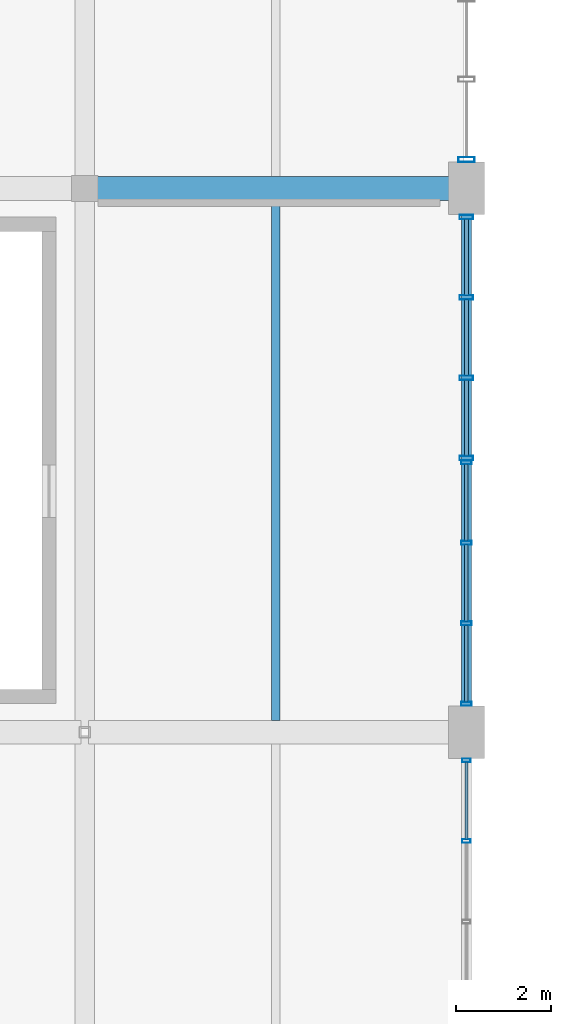
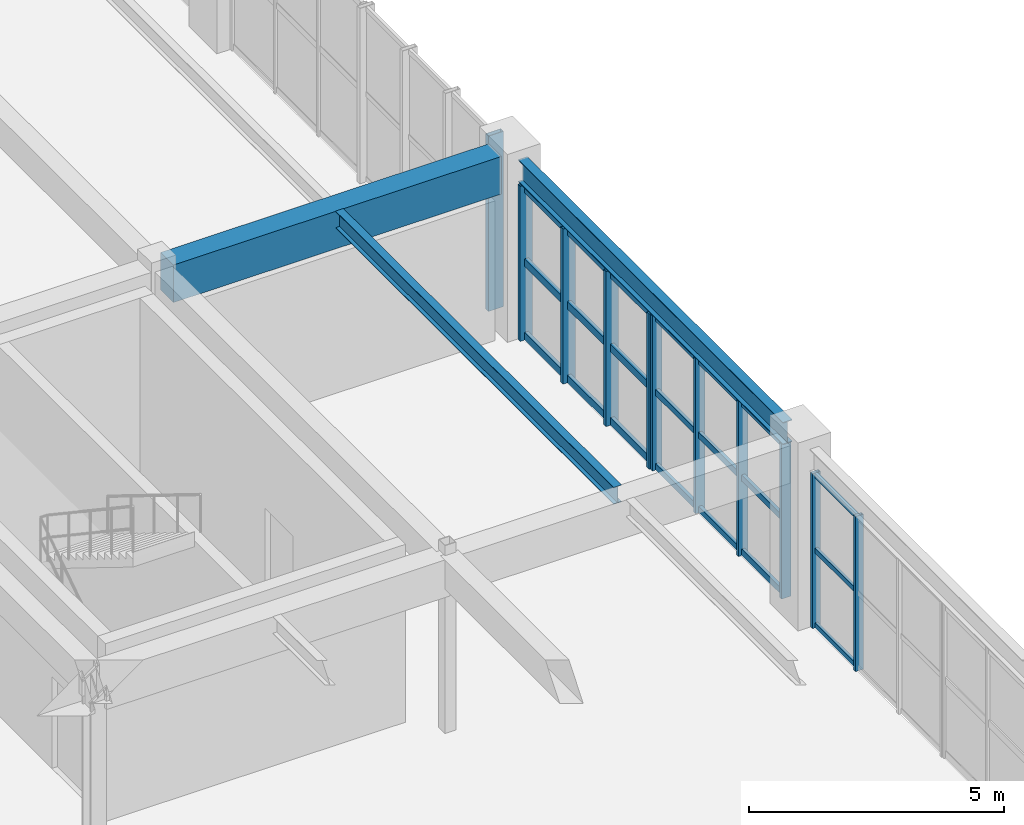
# One storey, part 14 of 80: 32 members, 3 beams, 4 elements without a shape of their own.
"""IFC4 building model written with IfcOpenShell, lengths in metres."""

from ifc_helpers import new_model, si_unit, direction, frame, origin, origin_2d, place, context, subcontext, project, spatial, rectangle, hollow_rectangle, i_section, extrude, material, layer, layer_set, material_profile, profile_set, type_object, element, aggregate, save


model = new_model("IFC4")

# Units and contexts
model_context = context("Model", 3, precision=1e-05, world=origin(), true_north=direction((0.0, 1.0)))
body_context = subcontext(model_context, "Body", "Model", "MODEL_VIEW")
ifc_project = project(units=[si_unit("LENGTHUNIT", "METRE"), si_unit("AREAUNIT", "SQUARE_METRE"), si_unit("VOLUMEUNIT", "CUBIC_METRE"), si_unit("PLANEANGLEUNIT", "RADIAN"), si_unit("MASSUNIT", "GRAM", prefix="KILO"), si_unit("POWERUNIT", "WATT"), si_unit("THERMODYNAMICTEMPERATUREUNIT", "KELVIN")], contexts=[model_context])

# Site, building, storey
site_placement = place(None, origin())
site = spatial("IfcSite", under=ifc_project, at=site_placement, CompositionType="ELEMENT")
building_placement = place(site_placement, origin())
building = spatial("IfcBuilding", under=site, at=building_placement, Name="Kelmbourne Parkland Aquatics Centre", CompositionType="ELEMENT")
storey_placement = place(building_placement, frame((0.0, 0.0, 10.199951171875)))
storey = spatial("IfcBuildingStorey", under=building, at=storey_placement, Name="L02", CompositionType="ELEMENT", Elevation=10.199951171875)

# Beams
ifc_material_1 = material(Name="Concrete C40/50", Category="concrete")
ifc_material_profile_1 = material_profile(ifc_material_1, rectangle(XDim=0.5, YDim=0.89990234375, at=origin_2d()), Name="RC 500x900")
ifc_profile_set_1 = profile_set([ifc_material_profile_1], Name="Concrete C40/50")
beam_type_1 = type_object("IfcBeamType", Name="BM-G03", PredefinedType="BEAM", material=ifc_profile_set_1)
beam_1_placement = place(storey_placement, frame((32.22998046875, 46.39990234375, 3.81005859375), z_axis=(1.0, 0.0, 0.0), x_axis=(0.0, 1.0, 0.0)))
element("IfcBeam", 1, at=beam_1_placement, inside=storey, type_object=beam_type_1, Name="Primary girder E-F Grid 06 (L03)", PredefinedType="BEAM", context=body_context, shape_type="SweptSolid", body=[
    extrude(rectangle(XDim=0.5, YDim=0.89990234375, at=origin_2d()), origin(), (0.0, 0.0, 1.0), 7.43994140625),
])
ifc_material_2 = material(Name="Structural steel AS/NZS 3679.1 Grade 300", Category="steel")
ifc_material_profile_2 = material_profile(ifc_material_2, i_section(OverallWidth=0.177978515625, OverallDepth=0.406005859375, WebThickness=0.0078125, FlangeThickness=0.0126953125, at=origin_2d()), Name="410UB59.7")
ifc_profile_set_2 = profile_set([ifc_material_profile_2], Name="Structural steel AS/NZS 3679.1 Grade 300")
beam_type_2 = type_object("IfcBeamType", Name="BM-J01", PredefinedType="JOIST", material=ifc_profile_set_2)
beam_2_placement = place(storey_placement, frame((36.0, 35.241943359375, 4.05712890625), z_axis=(0.0, 1.0, 0.0), x_axis=(-1.0, 0.0, 0.0)))
element("IfcBeam", 2, at=beam_2_placement, inside=storey, type_object=beam_type_2, Name="Secondary floor joist E-F/05-06 #1 (L03)", PredefinedType="JOIST", context=body_context, shape_type="SweptSolid", body=[
    extrude(i_section(OverallWidth=0.177978515625, OverallDepth=0.406005859375, WebThickness=0.0078125, FlangeThickness=0.0126953125, at=origin_2d()), origin(), (0.0, 0.0, 1.0), 10.916015625),
])
ifc_material_profile_3 = material_profile(ifc_material_2, i_section(OverallWidth=0.208984375, OverallDepth=0.532958984375, WebThickness=0.01025390625, FlangeThickness=0.015625, at=origin_2d()), Name="530UB92.4")
ifc_profile_set_3 = profile_set([ifc_material_profile_3], Name="Structural steel AS/NZS 3679.1 Grade 300")
beam_type_3 = type_object("IfcBeamType", Name="BM-SP02", PredefinedType="SPANDREL", material=ifc_profile_set_3)
beam_3_placement = place(storey_placement, frame((40.0, 35.5048828125, 3.99365234375), z_axis=(0.0, 1.0, 0.0), x_axis=(-1.0, 0.0, 0.0)))
element("IfcBeam", 3, at=beam_3_placement, inside=storey, type_object=beam_type_3, Name="Perimeter spandrel 05-06 Grid F (L03)", PredefinedType="SPANDREL", context=body_context, shape_type="SweptSolid", body=[
    extrude(i_section(OverallWidth=0.208984375, OverallDepth=0.532958984375, WebThickness=0.01025390625, FlangeThickness=0.015625, at=origin_2d()), origin(), (0.0, 0.0, 1.0), 10.39013671875),
])

# Curtain wall, members
ifc_material_3 = material(Name="Thermally broken anodised aluminium framing", Category="aluminium")
ifc_layer_1 = layer(ifc_material_3, 0.179931640625)
ifc_layer_set_1 = layer_set([ifc_layer_1], Name="Thermally broken anodised aluminium framing")
curtain_wall_type_1 = type_object("IfcCurtainWallType", Name="CW-06", PredefinedType="NOTDEFINED", material=ifc_layer_set_1)
curtain_wall_1_placement = place(storey_placement, origin())
curtain_wall_1 = element("IfcCurtainWall", 4, at=curtain_wall_1_placement, inside=storey, type_object=curtain_wall_type_1, Name="Facade curtain wall CW-L02-246", PredefinedType="NOTDEFINED")
ifc_material_profile_4 = material_profile(ifc_material_3, hollow_rectangle(XDim=0.074951171875, YDim=0.179931640625, WallThickness=0.00439453125, at=origin_2d()), Name="CW-M 75x180")
ifc_profile_set_4 = profile_set([ifc_material_profile_4], Name="Thermally broken anodised aluminium framing")
member_type_1 = type_object("IfcMemberType", Name="MB-MUL-2", PredefinedType="MULLION", material=ifc_profile_set_4)
member_1_placement = place(storey_placement, frame((40.0, 32.719482421875, 0.0), z_axis=(0.0, 0.0, 1.0), x_axis=(0.0, 1.0, 0.0)))
member_1 = element("IfcMember", 5, at=member_1_placement, type_object=member_type_1, Name="CW-L02-246 mullion 2", PredefinedType="MULLION", context=body_context, shape_type="SweptSolid", body=[
    extrude(hollow_rectangle(XDim=0.074951171875, YDim=0.179931640625, WallThickness=0.00439453125, at=origin_2d()), origin(), (0.0, 0.0, 1.0), 3.712158203125),
])
member_2_placement = place(storey_placement, frame((40.0, 34.410400390625, 0.0), z_axis=(0.0, 0.0, 1.0), x_axis=(0.0, 1.0, 0.0)))
member_2 = element("IfcMember", 6, at=member_2_placement, type_object=member_type_1, Name="CW-L02-246 mullion 3", PredefinedType="MULLION", context=body_context, shape_type="SweptSolid", body=[
    extrude(hollow_rectangle(XDim=0.074951171875, YDim=0.179931640625, WallThickness=0.00439453125, at=origin_2d()), origin(), (0.0, 0.0, 1.0), 3.712158203125),
])

ifc_layer_2 = layer(ifc_material_3, 0.179931640625)
ifc_layer_set_2 = layer_set([ifc_layer_2], Name="Thermally broken anodised aluminium framing")
curtain_wall_type_2 = type_object("IfcCurtainWallType", Name="CW-07", PredefinedType="NOTDEFINED", material=ifc_layer_set_2)
curtain_wall_2_placement = place(storey_placement, origin())
curtain_wall_2 = element("IfcCurtainWall", 7, at=curtain_wall_2_placement, inside=storey, type_object=curtain_wall_type_2, Name="Facade curtain wall CW-L02-247", PredefinedType="NOTDEFINED")
ifc_material_profile_5 = material_profile(ifc_material_3, hollow_rectangle(XDim=0.0849609375, YDim=0.219970703125, WallThickness=0.0048828125, at=origin_2d()), Name="CW-M 85x220")
ifc_profile_set_5 = profile_set([ifc_material_profile_5], Name="Thermally broken anodised aluminium framing")
member_type_2 = type_object("IfcMemberType", Name="MB-MUL-3", PredefinedType="MULLION", material=ifc_profile_set_5)
member_3_placement = place(storey_placement, frame((40.0, 35.594482421875, 0.0), z_axis=(0.0, 0.0, 1.0), x_axis=(0.0, 1.0, 0.0)))
member_3 = element("IfcMember", 8, at=member_3_placement, type_object=member_type_2, Name="CW-L02-247 mullion 0", PredefinedType="MULLION", context=body_context, shape_type="SweptSolid", body=[
    extrude(hollow_rectangle(XDim=0.0849609375, YDim=0.219970703125, WallThickness=0.0048828125, at=origin_2d()), origin(), (0.0, 0.0, 1.0), 3.712158203125),
])
member_4_placement = place(storey_placement, frame((40.0, 37.2822265625, 0.0), z_axis=(0.0, 0.0, 1.0), x_axis=(0.0, 1.0, 0.0)))
member_4 = element("IfcMember", 9, at=member_4_placement, type_object=member_type_2, Name="CW-L02-247 mullion 1", PredefinedType="MULLION", context=body_context, shape_type="SweptSolid", body=[
    extrude(hollow_rectangle(XDim=0.0849609375, YDim=0.219970703125, WallThickness=0.0048828125, at=origin_2d()), origin(), (0.0, 0.0, 1.0), 3.712158203125),
])
member_5_placement = place(storey_placement, frame((40.0, 38.9697265625, 0.0), z_axis=(0.0, 0.0, 1.0), x_axis=(0.0, 1.0, 0.0)))
member_5 = element("IfcMember", 10, at=member_5_placement, type_object=member_type_2, Name="CW-L02-247 mullion 2", PredefinedType="MULLION", context=body_context, shape_type="SweptSolid", body=[
    extrude(hollow_rectangle(XDim=0.0849609375, YDim=0.219970703125, WallThickness=0.0048828125, at=origin_2d()), origin(), (0.0, 0.0, 1.0), 3.712158203125),
])
member_6_placement = place(storey_placement, frame((40.0, 40.657470703125, 0.0), z_axis=(0.0, 0.0, 1.0), x_axis=(0.0, 1.0, 0.0)))
member_6 = element("IfcMember", 11, at=member_6_placement, type_object=member_type_2, Name="CW-L02-247 mullion 3", PredefinedType="MULLION", context=body_context, shape_type="SweptSolid", body=[
    extrude(hollow_rectangle(XDim=0.0849609375, YDim=0.219970703125, WallThickness=0.0048828125, at=origin_2d()), origin(), (0.0, 0.0, 1.0), 3.712158203125),
])

ifc_layer_3 = layer(ifc_material_3, 0.179931640625)
ifc_layer_set_3 = layer_set([ifc_layer_3], Name="Thermally broken anodised aluminium framing")
curtain_wall_type_3 = type_object("IfcCurtainWallType", Name="CW-08", PredefinedType="NOTDEFINED", material=ifc_layer_set_3)
curtain_wall_3_placement = place(storey_placement, origin())
curtain_wall_3 = element("IfcCurtainWall", 12, at=curtain_wall_3_placement, inside=storey, type_object=curtain_wall_type_3, Name="Facade curtain wall CW-L02-248", PredefinedType="NOTDEFINED")
ifc_material_profile_6 = material_profile(ifc_material_3, hollow_rectangle(XDim=0.094970703125, YDim=0.280029296875, WallThickness=0.005615234375, at=origin_2d()), Name="CW-M 95x280")
ifc_profile_set_6 = profile_set([ifc_material_profile_6], Name="Thermally broken anodised aluminium framing")
member_type_3 = type_object("IfcMemberType", Name="MB-MUL-4", PredefinedType="MULLION", material=ifc_profile_set_6)
member_7_placement = place(storey_placement, frame((40.0, 40.74755859375, 0.0), z_axis=(0.0, 0.0, 1.0), x_axis=(0.0, 1.0, 0.0)))
member_7 = element("IfcMember", 13, at=member_7_placement, type_object=member_type_3, Name="CW-L02-248 mullion 0", PredefinedType="MULLION", context=body_context, shape_type="SweptSolid", body=[
    extrude(hollow_rectangle(XDim=0.094970703125, YDim=0.280029296875, WallThickness=0.005615234375, at=origin_2d()), origin(), (0.0, 0.0, 1.0), 3.712158203125),
])
member_8_placement = place(storey_placement, frame((40.0, 42.431884765625, 0.0), z_axis=(0.0, 0.0, 1.0), x_axis=(0.0, 1.0, 0.0)))
member_8 = element("IfcMember", 14, at=member_8_placement, type_object=member_type_3, Name="CW-L02-248 mullion 1", PredefinedType="MULLION", context=body_context, shape_type="SweptSolid", body=[
    extrude(hollow_rectangle(XDim=0.094970703125, YDim=0.280029296875, WallThickness=0.005615234375, at=origin_2d()), origin(), (0.0, 0.0, 1.0), 3.712158203125),
])
member_9_placement = place(storey_placement, frame((40.0, 44.1162109375, 0.0), z_axis=(0.0, 0.0, 1.0), x_axis=(0.0, 1.0, 0.0)))
member_9 = element("IfcMember", 15, at=member_9_placement, type_object=member_type_3, Name="CW-L02-248 mullion 2", PredefinedType="MULLION", context=body_context, shape_type="SweptSolid", body=[
    extrude(hollow_rectangle(XDim=0.094970703125, YDim=0.280029296875, WallThickness=0.005615234375, at=origin_2d()), origin(), (0.0, 0.0, 1.0), 3.712158203125),
])
member_10_placement = place(storey_placement, frame((40.0, 45.800537109375, 0.0), z_axis=(0.0, 0.0, 1.0), x_axis=(0.0, 1.0, 0.0)))
member_10 = element("IfcMember", 16, at=member_10_placement, type_object=member_type_3, Name="CW-L02-248 mullion 3", PredefinedType="MULLION", context=body_context, shape_type="SweptSolid", body=[
    extrude(hollow_rectangle(XDim=0.094970703125, YDim=0.280029296875, WallThickness=0.005615234375, at=origin_2d()), origin(), (0.0, 0.0, 1.0), 3.712158203125),
])

# Curtain wall, member
ifc_layer_4 = layer(ifc_material_3, 0.179931640625)
ifc_layer_set_4 = layer_set([ifc_layer_4], Name="Thermally broken anodised aluminium framing")
curtain_wall_type_4 = type_object("IfcCurtainWallType", Name="CW-09", PredefinedType="NOTDEFINED", material=ifc_layer_set_4)
curtain_wall_4_placement = place(storey_placement, origin())
curtain_wall_4 = element("IfcCurtainWall", 17, at=curtain_wall_4_placement, inside=storey, type_object=curtain_wall_type_4, Name="Facade curtain wall CW-L02-249", PredefinedType="NOTDEFINED")
ifc_material_profile_7 = material_profile(ifc_material_3, hollow_rectangle(XDim=0.10498046875, YDim=0.340087890625, WallThickness=0.006103515625, at=origin_2d()), Name="CW-M 105x340")
ifc_profile_set_7 = profile_set([ifc_material_profile_7], Name="Thermally broken anodised aluminium framing")
member_type_4 = type_object("IfcMemberType", Name="MB-MUL-5", PredefinedType="MULLION", material=ifc_profile_set_7)
member_11_placement = place(storey_placement, frame((40.0, 47.00439453125, 0.0), z_axis=(0.0, 0.0, 1.0), x_axis=(0.0, 1.0, 0.0)))
member_11 = element("IfcMember", 18, at=member_11_placement, type_object=member_type_4, Name="CW-L02-249 mullion 0", PredefinedType="MULLION", context=body_context, shape_type="SweptSolid", body=[
    extrude(hollow_rectangle(XDim=0.10498046875, YDim=0.340087890625, WallThickness=0.006103515625, at=origin_2d()), origin(), (0.0, 0.0, 1.0), 4.199951171875),
])
aggregate(curtain_wall_4, [member_11])

# Member
ifc_material_profile_8 = material_profile(ifc_material_3, hollow_rectangle(XDim=0.06494140625, YDim=0.1201171875, WallThickness=0.00341796875, at=origin_2d()), Name="CW-T 65x120")
ifc_profile_set_8 = profile_set([ifc_material_profile_8], Name="Thermally broken anodised aluminium framing")
member_type_5 = type_object("IfcMemberType", Name="MB-TRN-1", PredefinedType="USERDEFINED", material=ifc_profile_set_8)
member_12_placement = place(storey_placement, frame((40.0, 32.7529296875, 0.06298828125), z_axis=(0.0, 1.0, 0.0), x_axis=(-1.0, 0.0, 0.0)))
member_12 = element("IfcMember", 19, at=member_12_placement, type_object=member_type_5, Name="CW-L02-246 transom 0-2", ObjectType="TRANSOM", PredefinedType="USERDEFINED", context=body_context, shape_type="SweptSolid", body=[
    extrude(hollow_rectangle(XDim=0.06494140625, YDim=0.1201171875, WallThickness=0.00341796875, at=origin_2d()), origin(), (0.0, 0.0, 1.0), 1.6240234375),
])

member_13_placement = place(storey_placement, frame((40.0, 32.7529296875, 1.85595703125), z_axis=(0.0, 1.0, 0.0), x_axis=(-1.0, 0.0, 0.0)))
member_13 = element("IfcMember", 20, at=member_13_placement, type_object=member_type_5, Name="CW-L02-246 transom 1-2", ObjectType="TRANSOM", PredefinedType="USERDEFINED", context=body_context, shape_type="SweptSolid", body=[
    extrude(hollow_rectangle(XDim=0.06494140625, YDim=0.1201171875, WallThickness=0.00341796875, at=origin_2d()), origin(), (0.0, 0.0, 1.0), 1.6240234375),
])

member_14_placement = place(storey_placement, frame((40.0, 32.7529296875, 3.649169921875), z_axis=(0.0, 1.0, 0.0), x_axis=(-1.0, 0.0, 0.0)))
member_14 = element("IfcMember", 21, at=member_14_placement, type_object=member_type_5, Name="CW-L02-246 transom 2-2", ObjectType="TRANSOM", PredefinedType="USERDEFINED", context=body_context, shape_type="SweptSolid", body=[
    extrude(hollow_rectangle(XDim=0.06494140625, YDim=0.1201171875, WallThickness=0.00341796875, at=origin_2d()), origin(), (0.0, 0.0, 1.0), 1.6240234375),
])

aggregate(curtain_wall_1, [member_1, member_2, member_12, member_13, member_14])

ifc_material_profile_9 = material_profile(ifc_material_3, hollow_rectangle(XDim=0.074951171875, YDim=0.14990234375, WallThickness=0.00390625, at=origin_2d()), Name="CW-T 75x150")
ifc_profile_set_9 = profile_set([ifc_material_profile_9], Name="Thermally broken anodised aluminium framing")
member_type_6 = type_object("IfcMemberType", Name="MB-TRN-2", PredefinedType="USERDEFINED", material=ifc_profile_set_9)
member_15_placement = place(storey_placement, frame((40.0, 35.633056640625, 0.078125), z_axis=(0.0, 1.0, 0.0), x_axis=(-1.0, 0.0, 0.0)))
member_15 = element("IfcMember", 22, at=member_15_placement, type_object=member_type_6, Name="CW-L02-247 transom 0-0", ObjectType="TRANSOM", PredefinedType="USERDEFINED", context=body_context, shape_type="SweptSolid", body=[
    extrude(hollow_rectangle(XDim=0.074951171875, YDim=0.14990234375, WallThickness=0.00390625, at=origin_2d()), origin(), (0.0, 0.0, 1.0), 1.610595703125),
])

member_16_placement = place(storey_placement, frame((40.0, 37.32080078125, 0.078125), z_axis=(0.0, 1.0, 0.0), x_axis=(-1.0, 0.0, 0.0)))
member_16 = element("IfcMember", 23, at=member_16_placement, type_object=member_type_6, Name="CW-L02-247 transom 0-1", ObjectType="TRANSOM", PredefinedType="USERDEFINED", context=body_context, shape_type="SweptSolid", body=[
    extrude(hollow_rectangle(XDim=0.074951171875, YDim=0.14990234375, WallThickness=0.00390625, at=origin_2d()), origin(), (0.0, 0.0, 1.0), 1.610595703125),
])

member_17_placement = place(storey_placement, frame((40.0, 39.00830078125, 0.078125), z_axis=(0.0, 1.0, 0.0), x_axis=(-1.0, 0.0, 0.0)))
member_17 = element("IfcMember", 24, at=member_17_placement, type_object=member_type_6, Name="CW-L02-247 transom 0-2", ObjectType="TRANSOM", PredefinedType="USERDEFINED", context=body_context, shape_type="SweptSolid", body=[
    extrude(hollow_rectangle(XDim=0.074951171875, YDim=0.14990234375, WallThickness=0.00390625, at=origin_2d()), origin(), (0.0, 0.0, 1.0), 1.610595703125),
])

member_18_placement = place(storey_placement, frame((40.0, 35.633056640625, 1.85595703125), z_axis=(0.0, 1.0, 0.0), x_axis=(-1.0, 0.0, 0.0)))
member_18 = element("IfcMember", 25, at=member_18_placement, type_object=member_type_6, Name="CW-L02-247 transom 1-0", ObjectType="TRANSOM", PredefinedType="USERDEFINED", context=body_context, shape_type="SweptSolid", body=[
    extrude(hollow_rectangle(XDim=0.074951171875, YDim=0.14990234375, WallThickness=0.00390625, at=origin_2d()), origin(), (0.0, 0.0, 1.0), 1.610595703125),
])

member_19_placement = place(storey_placement, frame((40.0, 37.32080078125, 1.85595703125), z_axis=(0.0, 1.0, 0.0), x_axis=(-1.0, 0.0, 0.0)))
member_19 = element("IfcMember", 26, at=member_19_placement, type_object=member_type_6, Name="CW-L02-247 transom 1-1", ObjectType="TRANSOM", PredefinedType="USERDEFINED", context=body_context, shape_type="SweptSolid", body=[
    extrude(hollow_rectangle(XDim=0.074951171875, YDim=0.14990234375, WallThickness=0.00390625, at=origin_2d()), origin(), (0.0, 0.0, 1.0), 1.610595703125),
])

member_20_placement = place(storey_placement, frame((40.0, 39.00830078125, 1.85595703125), z_axis=(0.0, 1.0, 0.0), x_axis=(-1.0, 0.0, 0.0)))
member_20 = element("IfcMember", 27, at=member_20_placement, type_object=member_type_6, Name="CW-L02-247 transom 1-2", ObjectType="TRANSOM", PredefinedType="USERDEFINED", context=body_context, shape_type="SweptSolid", body=[
    extrude(hollow_rectangle(XDim=0.074951171875, YDim=0.14990234375, WallThickness=0.00390625, at=origin_2d()), origin(), (0.0, 0.0, 1.0), 1.610595703125),
])

member_21_placement = place(storey_placement, frame((40.0, 35.633056640625, 3.634033203125), z_axis=(0.0, 1.0, 0.0), x_axis=(-1.0, 0.0, 0.0)))
member_21 = element("IfcMember", 28, at=member_21_placement, type_object=member_type_6, Name="CW-L02-247 transom 2-0", ObjectType="TRANSOM", PredefinedType="USERDEFINED", context=body_context, shape_type="SweptSolid", body=[
    extrude(hollow_rectangle(XDim=0.074951171875, YDim=0.14990234375, WallThickness=0.00390625, at=origin_2d()), origin(), (0.0, 0.0, 1.0), 1.610595703125),
])

member_22_placement = place(storey_placement, frame((40.0, 37.32080078125, 3.634033203125), z_axis=(0.0, 1.0, 0.0), x_axis=(-1.0, 0.0, 0.0)))
member_22 = element("IfcMember", 29, at=member_22_placement, type_object=member_type_6, Name="CW-L02-247 transom 2-1", ObjectType="TRANSOM", PredefinedType="USERDEFINED", context=body_context, shape_type="SweptSolid", body=[
    extrude(hollow_rectangle(XDim=0.074951171875, YDim=0.14990234375, WallThickness=0.00390625, at=origin_2d()), origin(), (0.0, 0.0, 1.0), 1.610595703125),
])

member_23_placement = place(storey_placement, frame((40.0, 39.00830078125, 3.634033203125), z_axis=(0.0, 1.0, 0.0), x_axis=(-1.0, 0.0, 0.0)))
member_23 = element("IfcMember", 30, at=member_23_placement, type_object=member_type_6, Name="CW-L02-247 transom 2-2", ObjectType="TRANSOM", PredefinedType="USERDEFINED", context=body_context, shape_type="SweptSolid", body=[
    extrude(hollow_rectangle(XDim=0.074951171875, YDim=0.14990234375, WallThickness=0.00390625, at=origin_2d()), origin(), (0.0, 0.0, 1.0), 1.610595703125),
])

aggregate(curtain_wall_2, [member_3, member_4, member_5, member_6, member_15, member_16, member_17, member_18, member_19, member_20, member_21, member_22, member_23])

ifc_material_profile_10 = material_profile(ifc_material_3, hollow_rectangle(XDim=0.0849609375, YDim=0.179931640625, WallThickness=0.00439453125, at=origin_2d()), Name="CW-T 85x180")
ifc_profile_set_10 = profile_set([ifc_material_profile_10], Name="Thermally broken anodised aluminium framing")
member_type_7 = type_object("IfcMemberType", Name="MB-TRN-3", PredefinedType="USERDEFINED", material=ifc_profile_set_10)
member_24_placement = place(storey_placement, frame((40.0, 40.791015625, 0.093017578125), z_axis=(0.0, 1.0, 0.0), x_axis=(-1.0, 0.0, 0.0)))
member_24 = element("IfcMember", 31, at=member_24_placement, type_object=member_type_7, Name="CW-L02-248 transom 0-0", ObjectType="TRANSOM", PredefinedType="USERDEFINED", context=body_context, shape_type="SweptSolid", body=[
    extrude(hollow_rectangle(XDim=0.0849609375, YDim=0.179931640625, WallThickness=0.00439453125, at=origin_2d()), origin(), (0.0, 0.0, 1.0), 1.59716796875),
])

member_25_placement = place(storey_placement, frame((40.0, 42.475341796875, 0.093017578125), z_axis=(0.0, 1.0, 0.0), x_axis=(-1.0, 0.0, 0.0)))
member_25 = element("IfcMember", 32, at=member_25_placement, type_object=member_type_7, Name="CW-L02-248 transom 0-1", ObjectType="TRANSOM", PredefinedType="USERDEFINED", context=body_context, shape_type="SweptSolid", body=[
    extrude(hollow_rectangle(XDim=0.0849609375, YDim=0.179931640625, WallThickness=0.00439453125, at=origin_2d()), origin(), (0.0, 0.0, 1.0), 1.597412109375),
])

member_26_placement = place(storey_placement, frame((40.0, 44.15966796875, 0.093017578125), z_axis=(0.0, 1.0, 0.0), x_axis=(-1.0, 0.0, 0.0)))
member_26 = element("IfcMember", 33, at=member_26_placement, type_object=member_type_7, Name="CW-L02-248 transom 0-2", ObjectType="TRANSOM", PredefinedType="USERDEFINED", context=body_context, shape_type="SweptSolid", body=[
    extrude(hollow_rectangle(XDim=0.0849609375, YDim=0.179931640625, WallThickness=0.00439453125, at=origin_2d()), origin(), (0.0, 0.0, 1.0), 1.597412109375),
])

member_27_placement = place(storey_placement, frame((40.0, 40.791015625, 1.85595703125), z_axis=(0.0, 1.0, 0.0), x_axis=(-1.0, 0.0, 0.0)))
member_27 = element("IfcMember", 34, at=member_27_placement, type_object=member_type_7, Name="CW-L02-248 transom 1-0", ObjectType="TRANSOM", PredefinedType="USERDEFINED", context=body_context, shape_type="SweptSolid", body=[
    extrude(hollow_rectangle(XDim=0.0849609375, YDim=0.179931640625, WallThickness=0.00439453125, at=origin_2d()), origin(), (0.0, 0.0, 1.0), 1.59716796875),
])

member_28_placement = place(storey_placement, frame((40.0, 42.475341796875, 1.85595703125), z_axis=(0.0, 1.0, 0.0), x_axis=(-1.0, 0.0, 0.0)))
member_28 = element("IfcMember", 35, at=member_28_placement, type_object=member_type_7, Name="CW-L02-248 transom 1-1", ObjectType="TRANSOM", PredefinedType="USERDEFINED", context=body_context, shape_type="SweptSolid", body=[
    extrude(hollow_rectangle(XDim=0.0849609375, YDim=0.179931640625, WallThickness=0.00439453125, at=origin_2d()), origin(), (0.0, 0.0, 1.0), 1.597412109375),
])

member_29_placement = place(storey_placement, frame((40.0, 44.15966796875, 1.85595703125), z_axis=(0.0, 1.0, 0.0), x_axis=(-1.0, 0.0, 0.0)))
member_29 = element("IfcMember", 36, at=member_29_placement, type_object=member_type_7, Name="CW-L02-248 transom 1-2", ObjectType="TRANSOM", PredefinedType="USERDEFINED", context=body_context, shape_type="SweptSolid", body=[
    extrude(hollow_rectangle(XDim=0.0849609375, YDim=0.179931640625, WallThickness=0.00439453125, at=origin_2d()), origin(), (0.0, 0.0, 1.0), 1.597412109375),
])

member_30_placement = place(storey_placement, frame((40.0, 40.791015625, 3.619140625), z_axis=(0.0, 1.0, 0.0), x_axis=(-1.0, 0.0, 0.0)))
member_30 = element("IfcMember", 37, at=member_30_placement, type_object=member_type_7, Name="CW-L02-248 transom 2-0", ObjectType="TRANSOM", PredefinedType="USERDEFINED", context=body_context, shape_type="SweptSolid", body=[
    extrude(hollow_rectangle(XDim=0.0849609375, YDim=0.179931640625, WallThickness=0.00439453125, at=origin_2d()), origin(), (0.0, 0.0, 1.0), 1.59716796875),
])

member_31_placement = place(storey_placement, frame((40.0, 42.475341796875, 3.619140625), z_axis=(0.0, 1.0, 0.0), x_axis=(-1.0, 0.0, 0.0)))
member_31 = element("IfcMember", 38, at=member_31_placement, type_object=member_type_7, Name="CW-L02-248 transom 2-1", ObjectType="TRANSOM", PredefinedType="USERDEFINED", context=body_context, shape_type="SweptSolid", body=[
    extrude(hollow_rectangle(XDim=0.0849609375, YDim=0.179931640625, WallThickness=0.00439453125, at=origin_2d()), origin(), (0.0, 0.0, 1.0), 1.597412109375),
])

member_32_placement = place(storey_placement, frame((40.0, 44.15966796875, 3.619140625), z_axis=(0.0, 1.0, 0.0), x_axis=(-1.0, 0.0, 0.0)))
member_32 = element("IfcMember", 39, at=member_32_placement, type_object=member_type_7, Name="CW-L02-248 transom 2-2", ObjectType="TRANSOM", PredefinedType="USERDEFINED", context=body_context, shape_type="SweptSolid", body=[
    extrude(hollow_rectangle(XDim=0.0849609375, YDim=0.179931640625, WallThickness=0.00439453125, at=origin_2d()), origin(), (0.0, 0.0, 1.0), 1.597412109375),
])

aggregate(curtain_wall_3, [member_7, member_8, member_9, member_10, member_24, member_25, member_26, member_27, member_28, member_29, member_30, member_31, member_32])

save(model, "model.ifc")
